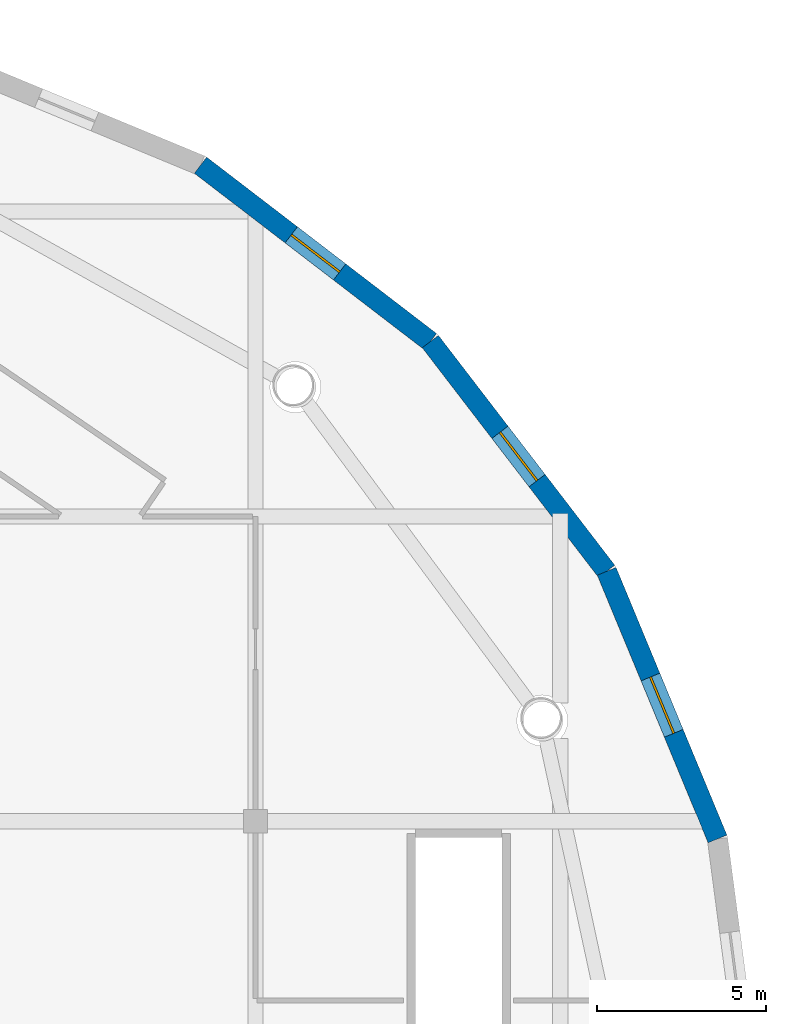
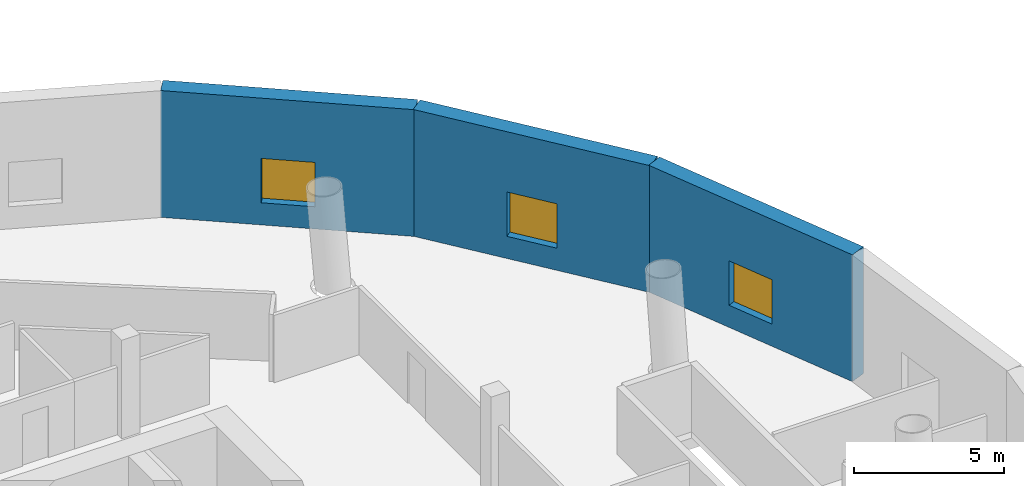
# One storey, part 12 of 15: 3 walls, 3 windows, 3 openings.
"""IFC4 building model written with IfcOpenShell, lengths in metres."""

from ifc_helpers import new_model, si_unit, direction, frame, frame_2d, origin, place, context, subcontext, project, spatial, rectangle, extrude, material, layer, layer_set, type_object, element, fill, save


model = new_model("IFC4")

# Units and contexts
model_context = context("Model", 3, precision=1e-05, world=origin(), true_north=direction((0.0, 1.0)))
body_context = subcontext(model_context, "Body", "Model", "MODEL_VIEW")
ifc_project = project(units=[si_unit("LENGTHUNIT", "METRE"), si_unit("AREAUNIT", "SQUARE_METRE"), si_unit("VOLUMEUNIT", "CUBIC_METRE"), si_unit("PLANEANGLEUNIT", "RADIAN"), si_unit("MASSUNIT", "GRAM", prefix="KILO")], contexts=[model_context])

# Site, building, storey
site_placement = place(None, origin())
site = spatial("IfcSite", under=ifc_project, at=site_placement, CompositionType="ELEMENT")
building_placement = place(site_placement, origin())
building = spatial("IfcBuilding", under=site, at=building_placement, Name="Tarsis Ring Headquarters", CompositionType="ELEMENT")
storey_placement = place(building_placement, frame((0.0, 0.0, 30.0)))
storey = spatial("IfcBuildingStorey", under=building, at=storey_placement, Name="L05", CompositionType="ELEMENT", Elevation=30.0)

# Wall, opening, window
ifc_material_1 = material(Name="Concrete C60/75", Category="concrete")
ifc_layer = layer(ifc_material_1, 0.60009765625)
ifc_layer_set = layer_set([ifc_layer], Name="PO-W600P")
wall_type = type_object("IfcWallType", Name="PO-W600P", PredefinedType="SOLIDWALL", material=ifc_layer_set)
wall_1_placement = place(storey_placement, frame((31.6416015625, 8.478271484375, 0.0), z_axis=(0.0, 0.0, 1.0), x_axis=(-0.382674535665, 0.923883217595, 0.0)))
wall_1 = element("IfcWall", 1, at=wall_1_placement, inside=storey, type_object=wall_type, Name="L05 external wall 17", PredefinedType="SOLIDWALL", context=body_context, shape_type="SweptSolid", body=[
    extrude(rectangle(XDim=8.551513671875, YDim=0.60009765625, at=frame_2d((4.27587890625, 0.0))), origin(), (0.0, 0.0, 1.0), 5.14990234375),
])
opening_1_placement = place(wall_1_placement, frame((3.375732421875, 0.0, 0.89990234375)))
opening_1 = element("IfcOpeningElement", 2, at=opening_1_placement, cuts=wall_1, Name="Opening PO-WN147", PredefinedType="OPENING", context=body_context, shape_type="SweptSolid", body=[
    extrude(rectangle(XDim=1.800048828125, YDim=1.802978515625, at=frame_2d((0.89990234375, 0.9013671875))), frame((0.0, 0.31005859375, 0.0), z_axis=(0.0, -1.0, 0.0), x_axis=(1.0, 0.0, 0.0)), (0.0, 0.0, 1.0), 0.6201171875),
])
ifc_material_2 = material(Name="Double glazing", Category="glass")
window_type = type_object("IfcWindowType", Name="PO-WN1800-1803", PartitioningType="SINGLE_PANEL", PredefinedType="WINDOW", material=ifc_material_2)
window_1_placement = place(opening_1_placement, origin())
window_1 = element("IfcWindow", 3, at=window_1_placement, inside=storey, type_object=window_type, Name="L05 window 17.1", OverallHeight=1.802978515625, OverallWidth=1.800048828125, PartitioningType="SINGLE_PANEL", PredefinedType="WINDOW", context=body_context, shape_type="SweptSolid", body=[
    extrude(rectangle(XDim=1.800048828125, YDim=1.802978515625, at=frame_2d((0.89990234375, 0.9013671875))), frame((0.0, 0.030029296875, 0.0), z_axis=(0.0, -1.0, 0.0), x_axis=(1.0, 0.0, 0.0)), (0.0, 0.0, 1.0), 0.06005859375),
])
fill(opening_1, window_1)

wall_2_placement = place(storey_placement, frame((28.369140625, 16.37890625, 0.0), z_axis=(0.0, 0.0, 1.0), x_axis=(-0.608756942646, 0.793356782778, 0.0)))
wall_2 = element("IfcWall", 4, at=wall_2_placement, inside=storey, type_object=wall_type, Name="L05 external wall 18", PredefinedType="SOLIDWALL", context=body_context, shape_type="SweptSolid", body=[
    extrude(rectangle(XDim=8.551513671875, YDim=0.60009765625, at=frame_2d((4.27587890625, 0.0))), origin(), (0.0, 0.0, 1.0), 5.14990234375),
])
opening_2_placement = place(wall_2_placement, frame((3.375732421875, 0.0, 0.89990234375)))
opening_2 = element("IfcOpeningElement", 5, at=opening_2_placement, cuts=wall_2, Name="Opening PO-WN147", PredefinedType="OPENING", context=body_context, shape_type="SweptSolid", body=[
    extrude(rectangle(XDim=1.800048828125, YDim=1.802978515625, at=frame_2d((0.89990234375, 0.9013671875))), frame((0.0, 0.31005859375, 0.0), z_axis=(0.0, -1.0, 0.0), x_axis=(1.0, 0.0, 0.0)), (0.0, 0.0, 1.0), 0.6201171875),
])
window_2_placement = place(opening_2_placement, origin())
window_2 = element("IfcWindow", 6, at=window_2_placement, inside=storey, type_object=window_type, Name="L05 window 18.1", OverallHeight=1.802978515625, OverallWidth=1.800048828125, PartitioningType="SINGLE_PANEL", PredefinedType="WINDOW", context=body_context, shape_type="SweptSolid", body=[
    extrude(rectangle(XDim=1.800048828125, YDim=1.802978515625, at=frame_2d((0.89990234375, 0.9013671875))), frame((0.0, 0.030029296875, 0.0), z_axis=(0.0, -1.0, 0.0), x_axis=(1.0, 0.0, 0.0)), (0.0, 0.0, 1.0), 0.06005859375),
])
fill(opening_2, window_2)

wall_3_placement = place(storey_placement, frame((23.163330078125, 23.163330078125, 0.0), z_axis=(0.0, 0.0, 1.0), x_axis=(-0.793356782778, 0.608756942646, 0.0)))
wall_3 = element("IfcWall", 7, at=wall_3_placement, inside=storey, type_object=wall_type, Name="L05 external wall 19", PredefinedType="SOLIDWALL", context=body_context, shape_type="SweptSolid", body=[
    extrude(rectangle(XDim=8.551513671875, YDim=0.60009765625, at=frame_2d((4.27587890625, 0.0))), origin(), (0.0, 0.0, 1.0), 5.14990234375),
])
opening_3_placement = place(wall_3_placement, frame((3.375732421875, 0.0, 0.89990234375)))
opening_3 = element("IfcOpeningElement", 8, at=opening_3_placement, cuts=wall_3, Name="Opening PO-WN147", PredefinedType="OPENING", context=body_context, shape_type="SweptSolid", body=[
    extrude(rectangle(XDim=1.800048828125, YDim=1.802978515625, at=frame_2d((0.89990234375, 0.9013671875))), frame((0.0, 0.31005859375, 0.0), z_axis=(0.0, -1.0, 0.0), x_axis=(1.0, 0.0, 0.0)), (0.0, 0.0, 1.0), 0.6201171875),
])
window_3_placement = place(opening_3_placement, origin())
window_3 = element("IfcWindow", 9, at=window_3_placement, inside=storey, type_object=window_type, Name="L05 window 19.1", OverallHeight=1.802978515625, OverallWidth=1.800048828125, PartitioningType="SINGLE_PANEL", PredefinedType="WINDOW", context=body_context, shape_type="SweptSolid", body=[
    extrude(rectangle(XDim=1.800048828125, YDim=1.802978515625, at=frame_2d((0.89990234375, 0.9013671875))), frame((0.0, 0.030029296875, 0.0), z_axis=(0.0, -1.0, 0.0), x_axis=(1.0, 0.0, 0.0)), (0.0, 0.0, 1.0), 0.06005859375),
])
fill(opening_3, window_3)

save(model, "model.ifc")
